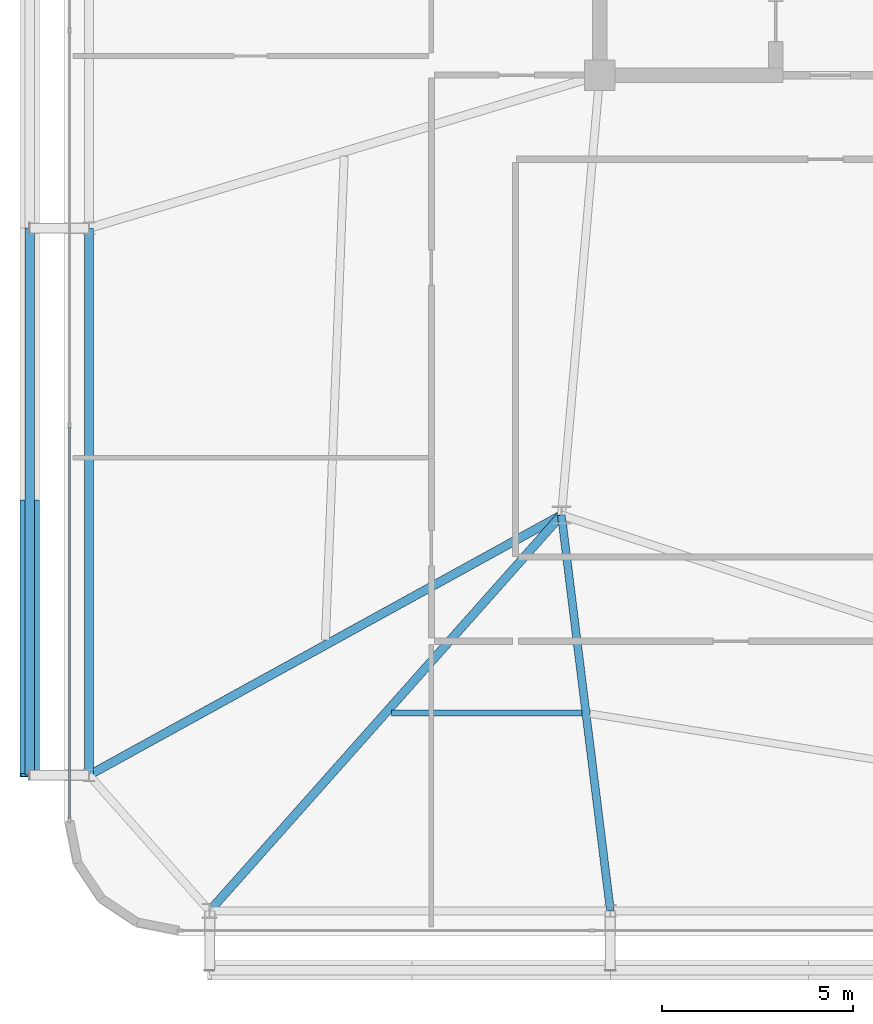
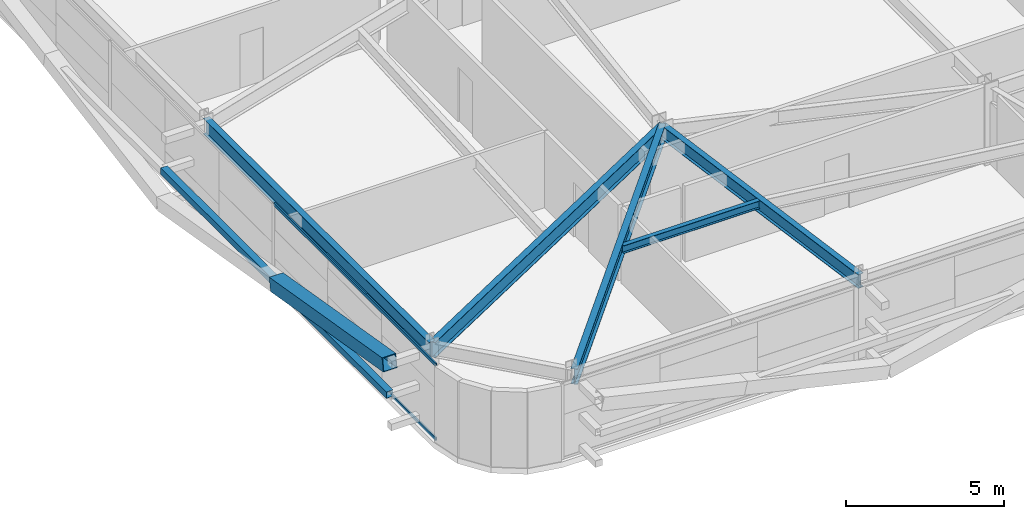
# One storey, part 7 of 44: 5 beams, 4 members, 1 element without a shape of its own.
"""IFC4 building model written with IfcOpenShell, lengths in metres."""

from ifc_helpers import new_model, si_unit, direction, frame, origin, origin_2d, place, context, subcontext, project, spatial, hollow_rectangle, i_section, extrude, source, transform, mapped, material, layer, layer_set, material_profile, profile_set, type_object, element, aggregate, save


model = new_model("IFC4")

# Units and contexts
model_context = context("Model", 3, precision=1e-05, world=origin(), true_north=direction((0.0, 1.0)))
body_context = subcontext(model_context, "Body", "Model", "MODEL_VIEW")
ifc_project = project(units=[si_unit("LENGTHUNIT", "METRE"), si_unit("AREAUNIT", "SQUARE_METRE"), si_unit("VOLUMEUNIT", "CUBIC_METRE"), si_unit("PLANEANGLEUNIT", "RADIAN"), si_unit("MASSUNIT", "GRAM", prefix="KILO")], contexts=[model_context])

# Site, building, storey
site_placement = place(None, origin())
site = spatial("IfcSite", under=ifc_project, at=site_placement, CompositionType="ELEMENT")
building_placement = place(site_placement, origin())
building = spatial("IfcBuilding", under=site, at=building_placement, Name="Taldren Reach Tower", CompositionType="ELEMENT")
storey_placement = place(building_placement, frame((0.0, 0.0, 38.85009765625)))
storey = spatial("IfcBuildingStorey", under=building, at=storey_placement, Name="L11", CompositionType="ELEMENT", Elevation=38.85009765625)

# Beams
ifc_material_1 = material(Name="Steel Gr 350 (350PLUS)", Category="steel")
ifc_material_profile_1 = material_profile(ifc_material_1, i_section(OverallWidth=0.22802734375, OverallDepth=0.60205078125, WebThickness=0.010498046875, FlangeThickness=0.014892578125, at=origin_2d()), Name="610UB101")
ifc_profile_set_1 = profile_set([ifc_material_profile_1], Name="Steel Gr 350 (350PLUS)")
beam_type_1 = type_object("IfcBeamType", Name="BM-UB610B", PredefinedType="BEAM", material=ifc_profile_set_1)
shared_shape_1 = source(origin(), body_context, "Body", "SweptSolid", [
    extrude(i_section(OverallWidth=0.22802734375, OverallDepth=0.60205078125, WebThickness=0.010498046875, FlangeThickness=0.014892578125, at=origin_2d()), origin(), (0.0, 0.0, 1.0), 14.300048828125),
])
beam_1_placement = place(storey_placement, frame((5.64990234375, 20.0, 2.62890625), z_axis=(0.0, -1.0, 0.0), x_axis=(1.0, 0.0, 0.0)))
element("IfcBeam", 1, at=beam_1_placement, inside=storey, type_object=beam_type_1, Name="Perimeter gable girder B1 W2-W1 L11", PredefinedType="BEAM", context=body_context, shape_type="MappedRepresentation", body=[
    mapped(shared_shape_1, transform((0.0, 0.0, 0.0), scale=1.0)),
])
shared_shape_2 = source(origin(), body_context, "Body", "SweptSolid", [
    extrude(i_section(OverallWidth=0.22802734375, OverallDepth=0.60205078125, WebThickness=0.010498046875, FlangeThickness=0.014892578125, at=origin_2d()), origin(), (0.0, 0.0, 1.0), 13.847900390625),
])
beam_2_placement = place(storey_placement, frame((18.0, 12.5, 2.62890625), z_axis=(-0.664358367375, -0.747414182164, 0.0), x_axis=(0.747414182164, -0.664358367375, 0.0)))
element("IfcBeam", 2, at=beam_2_placement, inside=storey, type_object=beam_type_1, Name="Primary floor girder B1-S1 L11", PredefinedType="BEAM", context=body_context, shape_type="MappedRepresentation", body=[
    mapped(shared_shape_2, transform((0.0, 0.0, 0.0), scale=1.0)),
])
ifc_material_profile_2 = material_profile(ifc_material_1, i_section(OverallWidth=0.208984375, OverallDepth=0.532958984375, WebThickness=0.01025390625, FlangeThickness=0.015625, at=origin_2d()), Name="530UB92.4")
ifc_profile_set_2 = profile_set([ifc_material_profile_2], Name="Steel Gr 350 (350PLUS)")
beam_type_2 = type_object("IfcBeamType", Name="BM-UB530A", PredefinedType="BEAM", material=ifc_profile_set_2)
shared_shape_3 = source(origin(), body_context, "Body", "SweptSolid", [
    extrude(i_section(OverallWidth=0.208984375, OverallDepth=0.532958984375, WebThickness=0.01025390625, FlangeThickness=0.015625, at=origin_2d()), origin(), (0.0, 0.0, 1.0), 10.428955078125),
])
beam_3_placement = place(storey_placement, frame((18.0, 12.5, 2.663330078125), z_axis=(0.122738080664, -0.992439098159, 0.0), x_axis=(0.992439098159, 0.122738080664, 0.0)))
element("IfcBeam", 3, at=beam_3_placement, inside=storey, type_object=beam_type_2, Name="Primary floor girder B1-S2 L11", PredefinedType="BEAM", context=body_context, shape_type="MappedRepresentation", body=[
    mapped(shared_shape_3, transform((0.0, 0.0, 0.0), scale=1.0)),
])
shared_shape_4 = source(origin(), body_context, "Body", "SweptSolid", [
    extrude(i_section(OverallWidth=0.22802734375, OverallDepth=0.60205078125, WebThickness=0.010498046875, FlangeThickness=0.014892578125, at=origin_2d()), origin(), (0.0, 0.0, 1.0), 14.098388671875),
])
beam_4_placement = place(storey_placement, frame((18.0, 12.5, 2.62890625), z_axis=(-0.875991325783, -0.482326857175, 0.0), x_axis=(0.482326857175, -0.875991325783, 0.0)))
element("IfcBeam", 4, at=beam_4_placement, inside=storey, type_object=beam_type_1, Name="Primary floor girder B1-W1 L11", PredefinedType="BEAM", context=body_context, shape_type="MappedRepresentation", body=[
    mapped(shared_shape_4, transform((0.0, 0.0, 0.0), scale=1.0)),
])
ifc_material_2 = material(Name="Steel Gr 300 (300PLUS, 300 MPa)", Category="steel")
ifc_material_profile_3 = material_profile(ifc_material_2, i_section(OverallWidth=0.166015625, OverallDepth=0.306884765625, WebThickness=0.006591796875, FlangeThickness=0.01171875, at=origin_2d()), Name="310UB46.2")
ifc_profile_set_3 = profile_set([ifc_material_profile_3], Name="Steel Gr 300 (300PLUS, 300 MPa)")
beam_type_3 = type_object("IfcBeamType", Name="JS-UB310", PredefinedType="JOIST", material=ifc_profile_set_3)
shared_shape_5 = source(origin(), body_context, "Body", "SweptSolid", [
    extrude(i_section(OverallWidth=0.166015625, OverallDepth=0.306884765625, WebThickness=0.006591796875, FlangeThickness=0.01171875, at=origin_2d()), origin(), (0.0, 0.0, 1.0), 4.982177734375),
])
beam_5_placement = place(storey_placement, frame((13.552490234375, 7.324951171875, 2.7763671875), z_axis=(1.0, 0.0, 0.0), x_axis=(0.0, 1.0, 0.0)))
element("IfcBeam", 5, at=beam_5_placement, inside=storey, type_object=beam_type_3, Name="Secondary floor joist B1 J1 L11", PredefinedType="JOIST", context=body_context, shape_type="MappedRepresentation", body=[
    mapped(shared_shape_5, transform((0.0, 0.0, 0.0), scale=1.0)),
])

# Members
ifc_material_3 = material(Name="Steel Gr 450 (C450L0)", Category="steel")
ifc_material_profile_4 = material_profile(ifc_material_3, hollow_rectangle(XDim=0.510009765625, YDim=0.510009765625, WallThickness=0.02001953125, at=origin_2d()), Name="510x510x20.0SHS")
ifc_profile_set_4 = profile_set([ifc_material_profile_4], Name="Steel Gr 450 (C450L0)")
member_type_1 = type_object("IfcMemberType", Name="MB-EXO508", PredefinedType="BRACE", material=ifc_profile_set_4)
shared_shape_6 = source(origin(), body_context, "Body", "SweptSolid", [
    extrude(hollow_rectangle(XDim=0.510009765625, YDim=0.510009765625, WallThickness=0.02001953125, at=origin_2d()), origin(), (0.0, 0.0, 1.0), 7.252685546875),
])
member_1_placement = place(storey_placement, frame((4.10009765625, 12.85009765625, 1.434814453125), z_axis=(0.0, -0.985865800628, 0.167536930711), x_axis=(1.0, 0.0, 0.0)))
element("IfcMember", 6, at=member_1_placement, inside=storey, type_object=member_type_1, Name="Exoskeleton Diagrid Brace B1-W1 L11", PredefinedType="BRACE", context=body_context, shape_type="MappedRepresentation", body=[
    mapped(shared_shape_6, transform((0.0, 0.0, 0.0), scale=1.0)),
])
ifc_material_4 = material(Name="Steel Gr 350 (C350L0)", Category="steel")
ifc_material_profile_5 = material_profile(ifc_material_4, hollow_rectangle(XDim=0.25, YDim=0.25, WallThickness=0.010009765625, at=origin_2d()), Name="250x250x10.0SHS")
ifc_profile_set_5 = profile_set([ifc_material_profile_5], Name="Steel Gr 350 (C350L0)")
member_type_2 = type_object("IfcMemberType", Name="MB-POST250", PredefinedType="POST", material=ifc_profile_set_5)
shared_shape_7 = source(origin(), body_context, "Body", "SweptSolid", [
    extrude(hollow_rectangle(XDim=0.25, YDim=0.25, WallThickness=0.010009765625, at=origin_2d()), origin(), (0.0, 0.0, 1.0), 14.300048828125),
])
member_2_placement = place(storey_placement, frame((4.10009765625, 5.699951171875, 1.434814453125), z_axis=(0.0, 1.0, 0.0), x_axis=(-1.0, 0.0, 0.0)))
element("IfcMember", 7, at=member_2_placement, inside=storey, type_object=member_type_2, Name="Exoskeleton mid-height ring chord B1-W1 L11", PredefinedType="POST", context=body_context, shape_type="MappedRepresentation", body=[
    mapped(shared_shape_7, transform((0.0, 0.0, 0.0), scale=1.0)),
])

# Curtain wall, members
ifc_material_5 = material(Name="Aluminium and Low-E Glass Unitised System", Category="aluminium")
ifc_layer = layer(ifc_material_5, 0.159912109375)
ifc_layer_set = layer_set([ifc_layer], Name="Aluminium and Low-E Glass Unitised System")
curtain_wall_type = type_object("IfcCurtainWallType", Name="CW-SYS-2", PredefinedType="NOTDEFINED", material=ifc_layer_set)
curtain_wall_placement = place(storey_placement, origin())
curtain_wall = element("IfcCurtainWall", 8, at=curtain_wall_placement, inside=storey, type_object=curtain_wall_type, Name="Unitised curtain wall CW-L11-W", PredefinedType="NOTDEFINED")
ifc_material_6 = material(Name="Anodised Aluminium 6063-T6", Category="aluminium")
ifc_material_profile_6 = material_profile(ifc_material_6, hollow_rectangle(XDim=0.054931640625, YDim=0.1201171875, WallThickness=0.0029296875, at=origin_2d()), Name="ALU-120x55x3RHS")
ifc_profile_set_6 = profile_set([ifc_material_profile_6], Name="Anodised Aluminium 6063-T6")
member_type_3 = type_object("IfcMemberType", Name="CW-TRN-135", PredefinedType="USERDEFINED", material=ifc_profile_set_6)
shared_shape_8 = source(origin(), body_context, "Body", "SweptSolid", [
    extrude(hollow_rectangle(XDim=0.054931640625, YDim=0.1201171875, WallThickness=0.0029296875, at=origin_2d()), origin(), (0.0, 0.0, 1.0), 10.23583984375),
])
member_3_placement = place(storey_placement, frame((5.139892578125, 14.80078125, 0.02734375), z_axis=(0.0, -1.0, 0.0), x_axis=(1.0, 0.0, 0.0)))
member_3 = element("IfcMember", 9, at=member_3_placement, type_object=member_type_3, Name="CW-2 transom 3.1", ObjectType="TRANSOM", PredefinedType="USERDEFINED", context=body_context, shape_type="MappedRepresentation", body=[
    mapped(shared_shape_8, transform((0.0, 0.0, 0.0), scale=1.0)),
])
member_4_placement = place(storey_placement, frame((5.139892578125, 14.80078125, 2.90234375), z_axis=(0.0, -1.0, 0.0), x_axis=(1.0, 0.0, 0.0)))
member_4 = element("IfcMember", 10, at=member_4_placement, type_object=member_type_3, Name="CW-2 transom 3.2", ObjectType="TRANSOM", PredefinedType="USERDEFINED", context=body_context, shape_type="MappedRepresentation", body=[
    mapped(shared_shape_8, transform((0.0, 0.0, 0.0), scale=1.0)),
])
aggregate(curtain_wall, [member_3, member_4])

save(model, "model.ifc")
